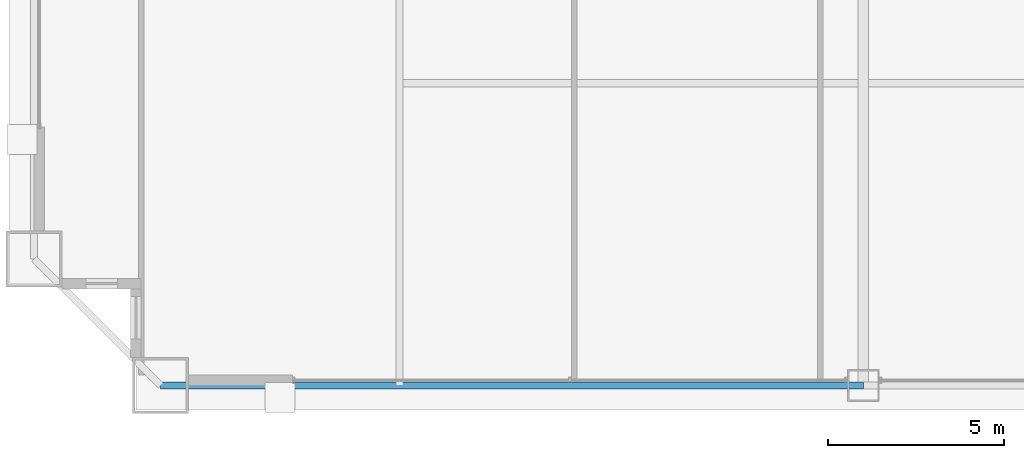
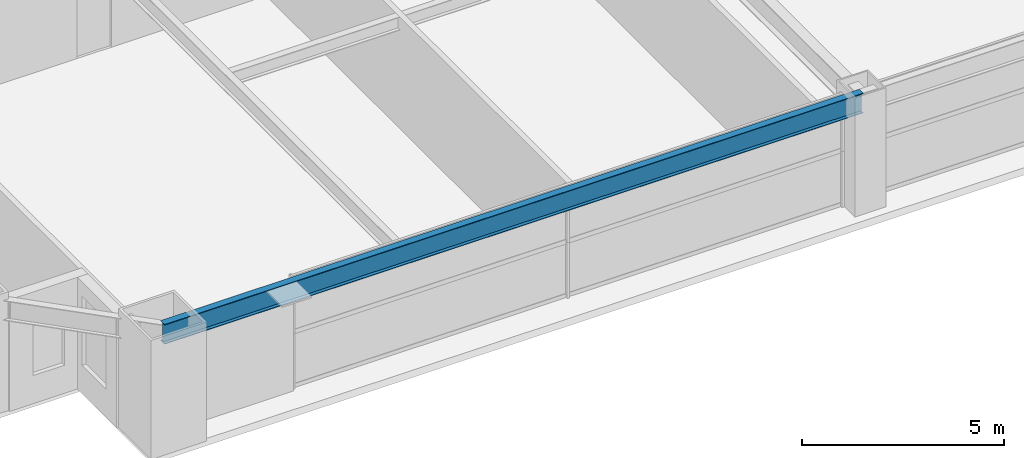
# One storey, part 4 of 38: 1 beam.
"""IFC4 building model written with IfcOpenShell, lengths in metres."""

from ifc_helpers import new_model, si_unit, direction, frame, origin, origin_2d, place, context, subcontext, project, spatial, i_section, extrude, source, transform, mapped, material, material_profile, profile_set, type_object, element, save


model = new_model("IFC4")

# Units and contexts
model_context = context("Model", 3, precision=1e-05, world=origin(), true_north=direction((0.0, 1.0)))
body_context = subcontext(model_context, "Body", "Model", "MODEL_VIEW")
ifc_project = project(units=[si_unit("LENGTHUNIT", "METRE"), si_unit("AREAUNIT", "SQUARE_METRE"), si_unit("VOLUMEUNIT", "CUBIC_METRE"), si_unit("PLANEANGLEUNIT", "RADIAN"), si_unit("MASSUNIT", "GRAM", prefix="KILO"), si_unit("THERMODYNAMICTEMPERATUREUNIT", "KELVIN"), si_unit("POWERUNIT", "WATT")], contexts=[model_context])

# Site, building, storey
site_placement = place(None, origin())
site = spatial("IfcSite", under=ifc_project, at=site_placement, CompositionType="ELEMENT")
building_placement = place(site_placement, origin())
building = spatial("IfcBuilding", under=site, at=building_placement, Name="Yuzanri Waterfront Tower", CompositionType="ELEMENT")
storey_placement = place(building_placement, frame((0.0, 0.0, 119.0)))
storey = spatial("IfcBuildingStorey", under=building, at=storey_placement, Name="L31", CompositionType="ELEMENT", Elevation=119.0)

# Beam
ifc_material = material(Name="Steel Q355B", Category="steel")
ifc_material_profile = material_profile(ifc_material, i_section(OverallWidth=0.199951171875, OverallDepth=0.60009765625, WebThickness=0.010986328125, FlangeThickness=0.01708984375, at=origin_2d()), Name="HN 600x200x11x17")
ifc_profile_set = profile_set([ifc_material_profile], Name="Steel Q355B")
beam_type = type_object("IfcBeamType", Name="Perimeter Spandrel Q355B HN 600x200", PredefinedType="SPANDREL", material=ifc_profile_set)
shared_shape = source(origin(), body_context, "Body", "SweptSolid", [
    extrude(i_section(OverallWidth=0.199951171875, OverallDepth=0.60009765625, WebThickness=0.010986328125, FlangeThickness=0.01708984375, at=origin_2d()), origin(), (0.0, 0.0, 1.0), 20.0),
])
beam_placement = place(storey_placement, frame((17.0, 2.199951171875, 3.080078125), z_axis=(1.0, 0.0, 0.0), x_axis=(0.0, 1.0, 0.0)))
element("IfcBeam", 1, at=beam_placement, inside=storey, type_object=beam_type, Name="L31 Perimeter Spandrel S1-S2", PredefinedType="SPANDREL", context=body_context, shape_type="MappedRepresentation", body=[
    mapped(shared_shape, transform((0.0, 0.0, 0.0), scale=1.0)),
])

save(model, "model.ifc")
